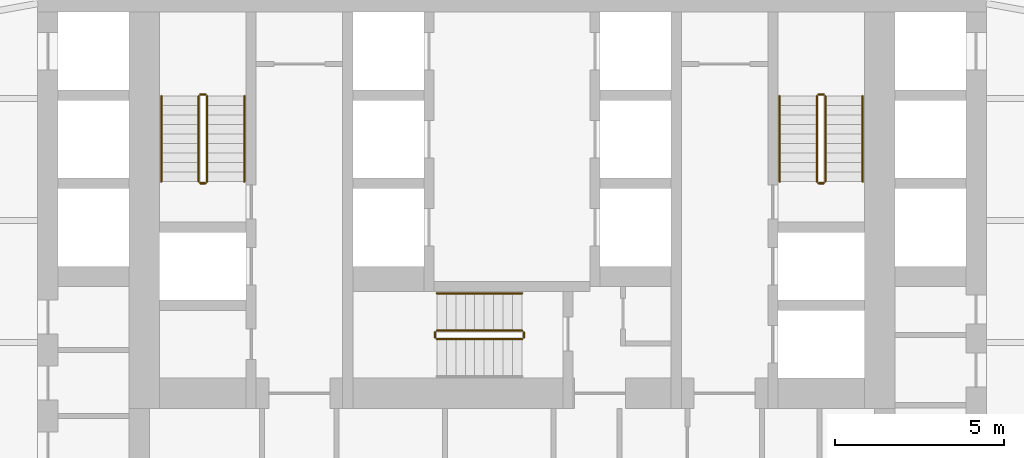
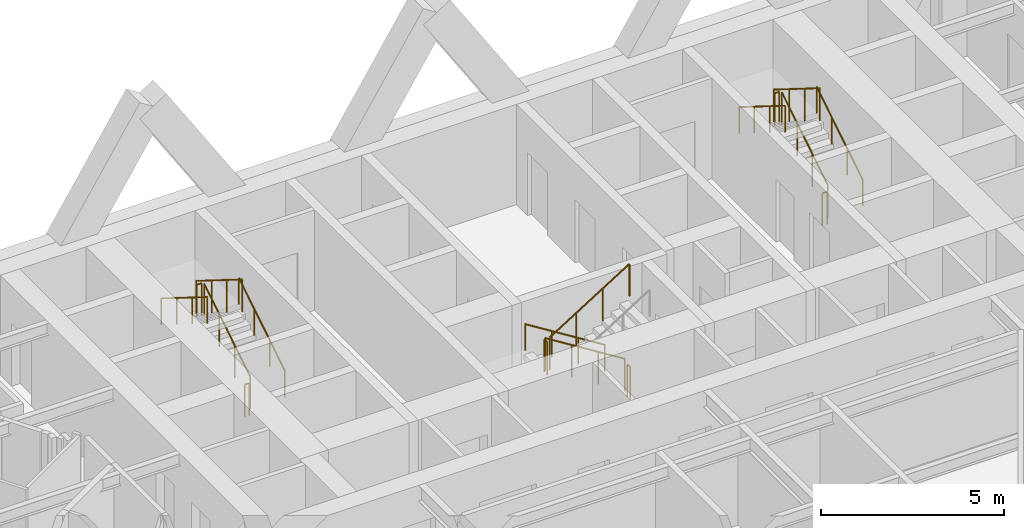
# One storey, part 11 of 11: 17 railings.
"""IFC4 building model written with IfcOpenShell, lengths in metres."""

from ifc_helpers import new_model, si_unit, direction, frame, origin, origin_2d, place, context, subcontext, project, spatial, circle, extrude, material, type_object, element, save


model = new_model("IFC4")

# Units and contexts
model_context = context("Model", 3, precision=1e-05, world=origin(), true_north=direction((0.0, 1.0)))
body_context = subcontext(model_context, "Body", "Model", "MODEL_VIEW")
ifc_project = project(units=[si_unit("LENGTHUNIT", "METRE"), si_unit("AREAUNIT", "SQUARE_METRE"), si_unit("VOLUMEUNIT", "CUBIC_METRE"), si_unit("PLANEANGLEUNIT", "RADIAN"), si_unit("MASSUNIT", "GRAM", prefix="KILO")], contexts=[model_context])

# Site, building, storey
site_placement = place(None, origin())
site = spatial("IfcSite", under=ifc_project, at=site_placement, CompositionType="ELEMENT")
building_placement = place(site_placement, origin())
building = spatial("IfcBuilding", under=site, at=building_placement, Name="Aloe Facet Convention Tower", CompositionType="ELEMENT")
storey_placement = place(building_placement, frame((0.0, 0.0, 63.0)))
storey = spatial("IfcBuildingStorey", under=building, at=storey_placement, Name="L14", CompositionType="ELEMENT", Elevation=63.0)

# Railings
ifc_material_1 = material(Name="Steel S355 balustrade", Category="steel")
railing_type_1 = type_object("IfcRailingType", Name="CR-RL-GUARD", PredefinedType="GUARDRAIL", material=ifc_material_1)
railing_1_placement = place(storey_placement, frame((71.0, 128.949951171875, 0.175048828125)))
element("IfcRailing", 1, at=railing_1_placement, inside=storey, type_object=railing_type_1, Name="L14 ST1 stair guard 1", PredefinedType="GUARDRAIL", context=body_context, shape_type="SweptSolid", body=[
    extrude(circle(Radius=0.02392578125, at=origin_2d()), frame((0.0, 0.0, 1.076171875), z_axis=(0.0, 0.848007534815, 0.529984170421), x_axis=(-1.0, 0.0, 0.0)), (0.0, 0.0, 1.0), 2.9716796875),
    extrude(circle(Radius=0.02099609375, at=origin_2d()), origin(), (0.0, 0.0, 1.0), 1.052001953125),
    extrude(circle(Radius=0.02099609375, at=origin_2d()), frame((0.0, 0.840087890625, 0.52490234375)), (0.0, 0.0, 1.0), 1.052001953125),
    extrude(circle(Radius=0.02099609375, at=origin_2d()), frame((0.0, 1.679931640625, 1.050048828125)), (0.0, 0.0, 1.0), 1.052001953125),
    extrude(circle(Radius=0.02099609375, at=origin_2d()), frame((0.0, 2.52001953125, 1.574951171875)), (0.0, 0.0, 1.0), 1.052001953125),
])
railing_2_placement = place(storey_placement, frame((70.949951171875, 131.52001953125, 1.75)))
element("IfcRailing", 2, at=railing_2_placement, inside=storey, type_object=railing_type_1, Name="L14 ST1 stair guard 2", PredefinedType="GUARDRAIL", context=body_context, shape_type="SweptSolid", body=[
    extrude(circle(Radius=0.02392578125, at=origin_2d()), frame((0.0, 0.0, 1.076171875), z_axis=(-1.0, 0.0, 0.0), x_axis=(0.0, -1.0, 0.0)), (0.0, 0.0, 1.0), 0.14990234375),
    extrude(circle(Radius=0.02099609375, at=origin_2d()), origin(), (0.0, 0.0, 1.0), 1.052001953125),
    extrude(circle(Radius=0.02099609375, at=origin_2d()), frame((-0.14990234375, 0.0, 0.0)), (0.0, 0.0, 1.0), 1.052001953125),
])
railing_3_placement = place(storey_placement, frame((70.75, 131.469970703125, 1.925048828125)))
element("IfcRailing", 3, at=railing_3_placement, inside=storey, type_object=railing_type_1, Name="L14 ST1 stair guard 3", PredefinedType="GUARDRAIL", context=body_context, shape_type="SweptSolid", body=[
    extrude(circle(Radius=0.02392578125, at=origin_2d()), frame((0.0, 0.0, 1.076171875), z_axis=(0.0, -0.848007534815, 0.529984170421), x_axis=(1.0, 0.0, 0.0)), (0.0, 0.0, 1.0), 2.9716796875),
    extrude(circle(Radius=0.02099609375, at=origin_2d()), origin(), (0.0, 0.0, 1.0), 1.052001953125),
    extrude(circle(Radius=0.02099609375, at=origin_2d()), frame((0.0, -0.840087890625, 0.52490234375)), (0.0, 0.0, 1.0), 1.052001953125),
    extrude(circle(Radius=0.02099609375, at=origin_2d()), frame((0.0, -1.679931640625, 1.050048828125)), (0.0, 0.0, 1.0), 1.052001953125),
    extrude(circle(Radius=0.02099609375, at=origin_2d()), frame((0.0, -2.52001953125, 1.574951171875)), (0.0, 0.0, 1.0), 1.052001953125),
])
railing_4_placement = place(storey_placement, frame((70.949951171875, 128.89990234375, 0.0)))
element("IfcRailing", 4, at=railing_4_placement, inside=storey, type_object=railing_type_1, Name="L14 ST1 stair guard 4", PredefinedType="GUARDRAIL", context=body_context, shape_type="SweptSolid", body=[
    extrude(circle(Radius=0.02392578125, at=origin_2d()), frame((0.0, 0.0, 1.076171875), z_axis=(-1.0, 0.0, 0.0), x_axis=(0.0, -1.0, 0.0)), (0.0, 0.0, 1.0), 0.14990234375),
    extrude(circle(Radius=0.02099609375, at=origin_2d()), origin(), (0.0, 0.0, 1.0), 1.052001953125),
    extrude(circle(Radius=0.02099609375, at=origin_2d()), frame((-0.14990234375, 0.0, 0.0)), (0.0, 0.0, 1.0), 1.052001953125),
])
railing_5_placement = place(storey_placement, frame((89.25, 128.949951171875, 0.175048828125)))
element("IfcRailing", 5, at=railing_5_placement, inside=storey, type_object=railing_type_1, Name="L14 ST2 stair guard 1", PredefinedType="GUARDRAIL", context=body_context, shape_type="SweptSolid", body=[
    extrude(circle(Radius=0.02392578125, at=origin_2d()), frame((0.0, 0.0, 1.076171875), z_axis=(0.0, 0.848007534815, 0.529984170421), x_axis=(-1.0, 0.0, 0.0)), (0.0, 0.0, 1.0), 2.9716796875),
    extrude(circle(Radius=0.02099609375, at=origin_2d()), origin(), (0.0, 0.0, 1.0), 1.052001953125),
    extrude(circle(Radius=0.02099609375, at=origin_2d()), frame((0.0, 0.840087890625, 0.52490234375)), (0.0, 0.0, 1.0), 1.052001953125),
    extrude(circle(Radius=0.02099609375, at=origin_2d()), frame((0.0, 1.679931640625, 1.050048828125)), (0.0, 0.0, 1.0), 1.052001953125),
    extrude(circle(Radius=0.02099609375, at=origin_2d()), frame((0.0, 2.52001953125, 1.574951171875)), (0.0, 0.0, 1.0), 1.052001953125),
])
railing_6_placement = place(storey_placement, frame((89.199951171875, 131.52001953125, 1.75)))
element("IfcRailing", 6, at=railing_6_placement, inside=storey, type_object=railing_type_1, Name="L14 ST2 stair guard 2", PredefinedType="GUARDRAIL", context=body_context, shape_type="SweptSolid", body=[
    extrude(circle(Radius=0.02392578125, at=origin_2d()), frame((0.0, 0.0, 1.076171875), z_axis=(-1.0, 0.0, 0.0), x_axis=(0.0, -1.0, 0.0)), (0.0, 0.0, 1.0), 0.14990234375),
    extrude(circle(Radius=0.02099609375, at=origin_2d()), origin(), (0.0, 0.0, 1.0), 1.052001953125),
    extrude(circle(Radius=0.02099609375, at=origin_2d()), frame((-0.14990234375, 0.0, 0.0)), (0.0, 0.0, 1.0), 1.052001953125),
])
railing_7_placement = place(storey_placement, frame((89.0, 131.469970703125, 1.925048828125)))
element("IfcRailing", 7, at=railing_7_placement, inside=storey, type_object=railing_type_1, Name="L14 ST2 stair guard 3", PredefinedType="GUARDRAIL", context=body_context, shape_type="SweptSolid", body=[
    extrude(circle(Radius=0.02392578125, at=origin_2d()), frame((0.0, 0.0, 1.076171875), z_axis=(0.0, -0.848007534815, 0.529984170421), x_axis=(1.0, 0.0, 0.0)), (0.0, 0.0, 1.0), 2.9716796875),
    extrude(circle(Radius=0.02099609375, at=origin_2d()), origin(), (0.0, 0.0, 1.0), 1.052001953125),
    extrude(circle(Radius=0.02099609375, at=origin_2d()), frame((0.0, -0.840087890625, 0.52490234375)), (0.0, 0.0, 1.0), 1.052001953125),
    extrude(circle(Radius=0.02099609375, at=origin_2d()), frame((0.0, -1.679931640625, 1.050048828125)), (0.0, 0.0, 1.0), 1.052001953125),
    extrude(circle(Radius=0.02099609375, at=origin_2d()), frame((0.0, -2.52001953125, 1.574951171875)), (0.0, 0.0, 1.0), 1.052001953125),
])
railing_8_placement = place(storey_placement, frame((89.199951171875, 128.89990234375, 0.0)))
element("IfcRailing", 8, at=railing_8_placement, inside=storey, type_object=railing_type_1, Name="L14 ST2 stair guard 4", PredefinedType="GUARDRAIL", context=body_context, shape_type="SweptSolid", body=[
    extrude(circle(Radius=0.02392578125, at=origin_2d()), frame((0.0, 0.0, 1.076171875), z_axis=(-1.0, 0.0, 0.0), x_axis=(0.0, -1.0, 0.0)), (0.0, 0.0, 1.0), 0.14990234375),
    extrude(circle(Radius=0.02099609375, at=origin_2d()), origin(), (0.0, 0.0, 1.0), 1.052001953125),
    extrude(circle(Radius=0.02099609375, at=origin_2d()), frame((-0.14990234375, 0.0, 0.0)), (0.0, 0.0, 1.0), 1.052001953125),
])
railing_9_placement = place(storey_placement, frame((80.300048828125, 124.550048828125, 0.175048828125)))
element("IfcRailing", 9, at=railing_9_placement, inside=storey, type_object=railing_type_1, Name="L14 ST3 stair guard 1", PredefinedType="GUARDRAIL", context=body_context, shape_type="SweptSolid", body=[
    extrude(circle(Radius=0.02392578125, at=origin_2d()), frame((0.0, 0.0, 1.076171875), z_axis=(-0.848007534815, 0.0, 0.529984170421), x_axis=(0.0, -1.0, 0.0)), (0.0, 0.0, 1.0), 2.9716796875),
    extrude(circle(Radius=0.02099609375, at=origin_2d()), origin(), (0.0, 0.0, 1.0), 1.052001953125),
    extrude(circle(Radius=0.02099609375, at=origin_2d()), frame((-0.840087890625, 0.0, 0.52490234375)), (0.0, 0.0, 1.0), 1.052001953125),
    extrude(circle(Radius=0.02099609375, at=origin_2d()), frame((-1.679931640625, 0.0, 1.050048828125)), (0.0, 0.0, 1.0), 1.052001953125),
    extrude(circle(Radius=0.02099609375, at=origin_2d()), frame((-2.52001953125, 0.0, 1.574951171875)), (0.0, 0.0, 1.0), 1.052001953125),
])
railing_10_placement = place(storey_placement, frame((77.72998046875, 124.5, 1.75)))
element("IfcRailing", 10, at=railing_10_placement, inside=storey, type_object=railing_type_1, Name="L14 ST3 stair guard 2", PredefinedType="GUARDRAIL", context=body_context, shape_type="SweptSolid", body=[
    extrude(circle(Radius=0.02392578125, at=origin_2d()), frame((0.0, 0.0, 1.076171875), z_axis=(0.0, -1.0, 0.0), x_axis=(1.0, 0.0, 0.0)), (0.0, 0.0, 1.0), 0.14990234375),
    extrude(circle(Radius=0.02099609375, at=origin_2d()), origin(), (0.0, 0.0, 1.0), 1.052001953125),
    extrude(circle(Radius=0.02099609375, at=origin_2d()), frame((0.0, -0.14990234375, 0.0)), (0.0, 0.0, 1.0), 1.052001953125),
])
railing_11_placement = place(storey_placement, frame((77.780029296875, 124.300048828125, 1.925048828125)))
element("IfcRailing", 11, at=railing_11_placement, inside=storey, type_object=railing_type_1, Name="L14 ST3 stair guard 3", PredefinedType="GUARDRAIL", context=body_context, shape_type="SweptSolid", body=[
    extrude(circle(Radius=0.02392578125, at=origin_2d()), frame((0.0, 0.0, 1.076171875), z_axis=(0.848007534815, 0.0, 0.529984170421), x_axis=(0.0, 1.0, 0.0)), (0.0, 0.0, 1.0), 2.9716796875),
    extrude(circle(Radius=0.02099609375, at=origin_2d()), origin(), (0.0, 0.0, 1.0), 1.052001953125),
    extrude(circle(Radius=0.02099609375, at=origin_2d()), frame((0.840087890625, 0.0, 0.52490234375)), (0.0, 0.0, 1.0), 1.052001953125),
    extrude(circle(Radius=0.02099609375, at=origin_2d()), frame((1.679931640625, 0.0, 1.050048828125)), (0.0, 0.0, 1.0), 1.052001953125),
    extrude(circle(Radius=0.02099609375, at=origin_2d()), frame((2.52001953125, 0.0, 1.574951171875)), (0.0, 0.0, 1.0), 1.052001953125),
])
railing_12_placement = place(storey_placement, frame((80.35009765625, 124.5, 0.0)))
element("IfcRailing", 12, at=railing_12_placement, inside=storey, type_object=railing_type_1, Name="L14 ST3 stair guard 4", PredefinedType="GUARDRAIL", context=body_context, shape_type="SweptSolid", body=[
    extrude(circle(Radius=0.02392578125, at=origin_2d()), frame((0.0, 0.0, 1.076171875), z_axis=(0.0, -1.0, 0.0), x_axis=(1.0, 0.0, 0.0)), (0.0, 0.0, 1.0), 0.14990234375),
    extrude(circle(Radius=0.02099609375, at=origin_2d()), origin(), (0.0, 0.0, 1.0), 1.052001953125),
    extrude(circle(Radius=0.02099609375, at=origin_2d()), frame((0.0, -0.14990234375, 0.0)), (0.0, 0.0, 1.0), 1.052001953125),
])
ifc_material_2 = material(Name="Steel S355 handrail", Category="steel")
railing_type_2 = type_object("IfcRailingType", Name="CR-RL-HAND", PredefinedType="HANDRAIL", material=ifc_material_2)
railing_13_placement = place(storey_placement, frame((72.10009765625, 128.949951171875, 0.175048828125)))
element("IfcRailing", 13, at=railing_13_placement, inside=storey, type_object=railing_type_2, Name="L14 ST1 stair handrail 1", PredefinedType="HANDRAIL", context=body_context, shape_type="SweptSolid", body=[
    extrude(circle(Radius=0.02392578125, at=origin_2d()), frame((0.0, 0.0, 0.8759765625), z_axis=(0.0, 0.848007534815, 0.529984170421), x_axis=(-1.0, 0.0, 0.0)), (0.0, 0.0, 1.0), 2.9716796875),
    extrude(circle(Radius=0.02099609375, at=origin_2d()), origin(), (0.0, 0.0, 1.0), 0.851806640625),
    extrude(circle(Radius=0.02099609375, at=origin_2d()), frame((0.0, 0.840087890625, 0.52490234375)), (0.0, 0.0, 1.0), 0.851806640625),
    extrude(circle(Radius=0.02099609375, at=origin_2d()), frame((0.0, 1.679931640625, 1.050048828125)), (0.0, 0.0, 1.0), 0.851806640625),
    extrude(circle(Radius=0.02099609375, at=origin_2d()), frame((0.0, 2.52001953125, 1.574951171875)), (0.0, 0.0, 1.0), 0.851806640625),
])
railing_14_placement = place(storey_placement, frame((69.64990234375, 131.469970703125, 1.925048828125)))
element("IfcRailing", 14, at=railing_14_placement, inside=storey, type_object=railing_type_2, Name="L14 ST1 stair handrail 2", PredefinedType="HANDRAIL", context=body_context, shape_type="SweptSolid", body=[
    extrude(circle(Radius=0.02392578125, at=origin_2d()), frame((0.0, 0.0, 0.8759765625), z_axis=(0.0, -0.848007534815, 0.529984170421), x_axis=(1.0, 0.0, 0.0)), (0.0, 0.0, 1.0), 2.9716796875),
    extrude(circle(Radius=0.02099609375, at=origin_2d()), origin(), (0.0, 0.0, 1.0), 0.851806640625),
    extrude(circle(Radius=0.02099609375, at=origin_2d()), frame((0.0, -0.840087890625, 0.52490234375)), (0.0, 0.0, 1.0), 0.851806640625),
    extrude(circle(Radius=0.02099609375, at=origin_2d()), frame((0.0, -1.679931640625, 1.050048828125)), (0.0, 0.0, 1.0), 0.851806640625),
    extrude(circle(Radius=0.02099609375, at=origin_2d()), frame((0.0, -2.52001953125, 1.574951171875)), (0.0, 0.0, 1.0), 0.851806640625),
])
railing_15_placement = place(storey_placement, frame((90.35009765625, 128.949951171875, 0.175048828125)))
element("IfcRailing", 15, at=railing_15_placement, inside=storey, type_object=railing_type_2, Name="L14 ST2 stair handrail 1", PredefinedType="HANDRAIL", context=body_context, shape_type="SweptSolid", body=[
    extrude(circle(Radius=0.02392578125, at=origin_2d()), frame((0.0, 0.0, 0.8759765625), z_axis=(0.0, 0.848007534815, 0.529984170421), x_axis=(-1.0, 0.0, 0.0)), (0.0, 0.0, 1.0), 2.9716796875),
    extrude(circle(Radius=0.02099609375, at=origin_2d()), origin(), (0.0, 0.0, 1.0), 0.851806640625),
    extrude(circle(Radius=0.02099609375, at=origin_2d()), frame((0.0, 0.840087890625, 0.52490234375)), (0.0, 0.0, 1.0), 0.851806640625),
    extrude(circle(Radius=0.02099609375, at=origin_2d()), frame((0.0, 1.679931640625, 1.050048828125)), (0.0, 0.0, 1.0), 0.851806640625),
    extrude(circle(Radius=0.02099609375, at=origin_2d()), frame((0.0, 2.52001953125, 1.574951171875)), (0.0, 0.0, 1.0), 0.851806640625),
])
railing_16_placement = place(storey_placement, frame((87.89990234375, 131.469970703125, 1.925048828125)))
element("IfcRailing", 16, at=railing_16_placement, inside=storey, type_object=railing_type_2, Name="L14 ST2 stair handrail 2", PredefinedType="HANDRAIL", context=body_context, shape_type="SweptSolid", body=[
    extrude(circle(Radius=0.02392578125, at=origin_2d()), frame((0.0, 0.0, 0.8759765625), z_axis=(0.0, -0.848007534815, 0.529984170421), x_axis=(1.0, 0.0, 0.0)), (0.0, 0.0, 1.0), 2.9716796875),
    extrude(circle(Radius=0.02099609375, at=origin_2d()), origin(), (0.0, 0.0, 1.0), 0.851806640625),
    extrude(circle(Radius=0.02099609375, at=origin_2d()), frame((0.0, -0.840087890625, 0.52490234375)), (0.0, 0.0, 1.0), 0.851806640625),
    extrude(circle(Radius=0.02099609375, at=origin_2d()), frame((0.0, -1.679931640625, 1.050048828125)), (0.0, 0.0, 1.0), 0.851806640625),
    extrude(circle(Radius=0.02099609375, at=origin_2d()), frame((0.0, -2.52001953125, 1.574951171875)), (0.0, 0.0, 1.0), 0.851806640625),
])
railing_17_placement = place(storey_placement, frame((80.300048828125, 125.64990234375, 0.175048828125)))
element("IfcRailing", 17, at=railing_17_placement, inside=storey, type_object=railing_type_2, Name="L14 ST3 stair handrail 1", PredefinedType="HANDRAIL", context=body_context, shape_type="SweptSolid", body=[
    extrude(circle(Radius=0.02392578125, at=origin_2d()), frame((0.0, 0.0, 0.8759765625), z_axis=(-0.848007534815, 0.0, 0.529984170421), x_axis=(0.0, -1.0, 0.0)), (0.0, 0.0, 1.0), 2.9716796875),
    extrude(circle(Radius=0.02099609375, at=origin_2d()), origin(), (0.0, 0.0, 1.0), 0.851806640625),
    extrude(circle(Radius=0.02099609375, at=origin_2d()), frame((-0.840087890625, 0.0, 0.52490234375)), (0.0, 0.0, 1.0), 0.851806640625),
    extrude(circle(Radius=0.02099609375, at=origin_2d()), frame((-1.679931640625, 0.0, 1.050048828125)), (0.0, 0.0, 1.0), 0.851806640625),
    extrude(circle(Radius=0.02099609375, at=origin_2d()), frame((-2.52001953125, 0.0, 1.574951171875)), (0.0, 0.0, 1.0), 0.851806640625),
])

save(model, "model.ifc")
